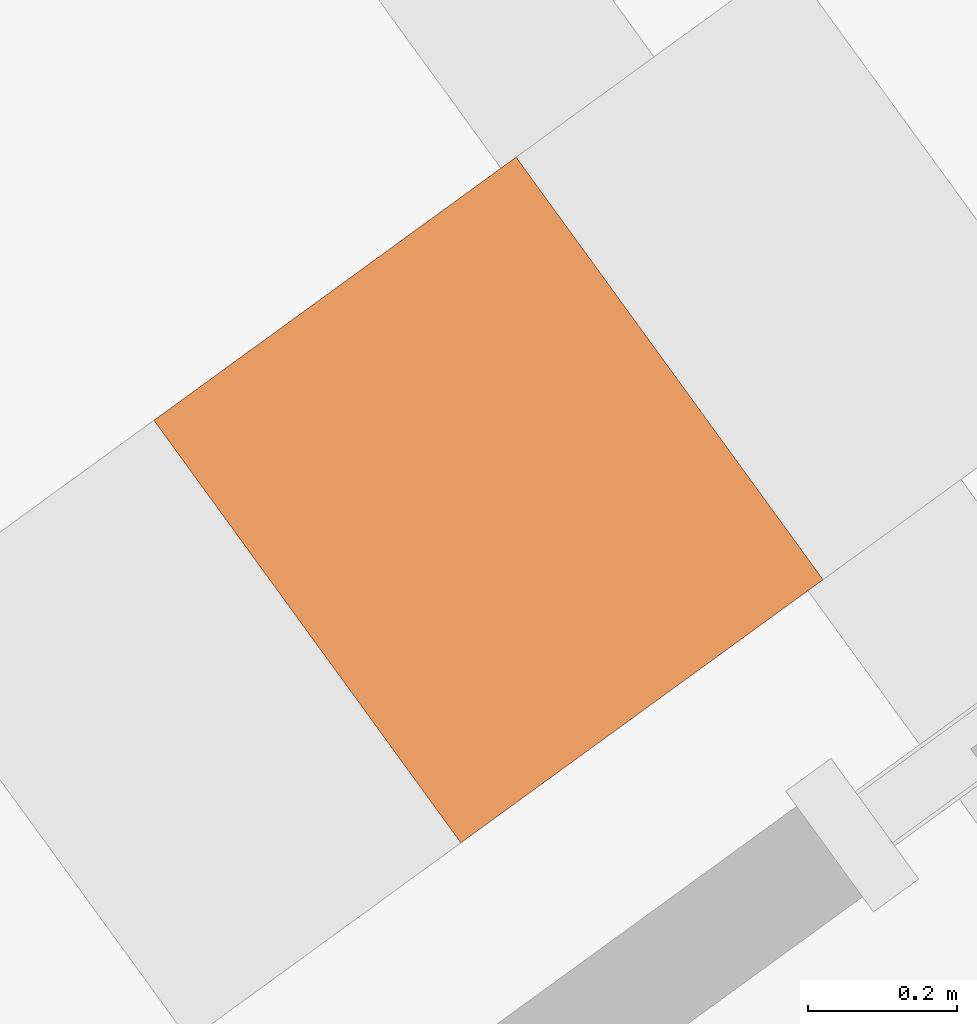
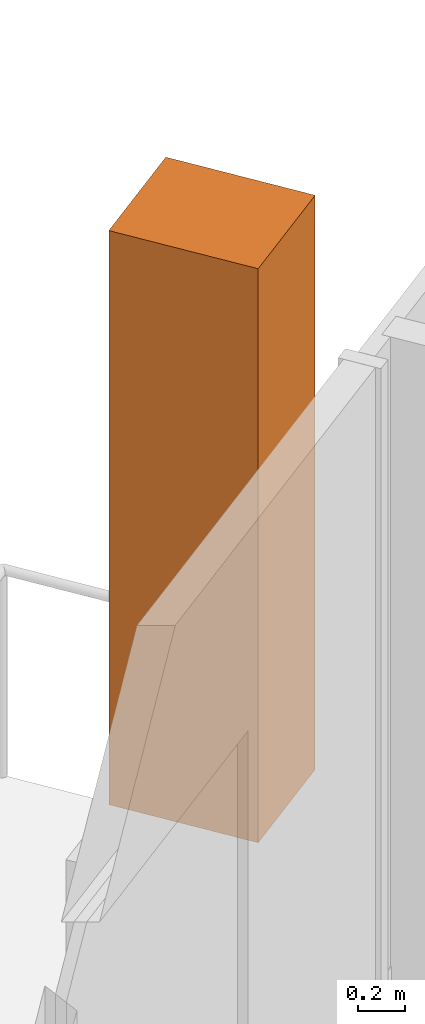
# One storey, part 21 of 21: 1 geographic element.
"""IFC4 building model written with IfcOpenShell, lengths in metres."""

from ifc_helpers import new_model, si_unit, direction, frame, origin, origin_2d, place, context, subcontext, project, spatial, rectangle, extrude, source, transform, mapped, material, type_object, element, save


model = new_model("IFC4")

# Units and contexts
model_context = context("Model", 3, precision=1e-05, world=origin(), true_north=direction((0.0, 1.0)))
body_context = subcontext(model_context, "Body", "Model", "MODEL_VIEW")
ifc_project = project(units=[si_unit("LENGTHUNIT", "METRE"), si_unit("AREAUNIT", "SQUARE_METRE"), si_unit("VOLUMEUNIT", "CUBIC_METRE"), si_unit("PLANEANGLEUNIT", "RADIAN"), si_unit("MASSUNIT", "GRAM", prefix="KILO")], contexts=[model_context])

# Site, building, storey
site_placement = place(None, origin())
site = spatial("IfcSite", under=ifc_project, at=site_placement, CompositionType="ELEMENT")
building_placement = place(site_placement, origin())
building = spatial("IfcBuilding", under=site, at=building_placement, Name="Triune Harvest Tower", CompositionType="ELEMENT")
storey_placement = place(building_placement, frame((0.0, 0.0, 87.300048828125)))
storey = spatial("IfcBuildingStorey", under=building, at=storey_placement, Name="L21", CompositionType="ELEMENT", Elevation=87.300048828125)

# Geographic element
ifc_material = material(Name="TREE-1 tree")
geographic_element_type = type_object("IfcGeographicElementType", Name="TREE-1 tree", PredefinedType="USERDEFINED", material=ifc_material)
shared_shape = source(origin(), body_context, "Body", "SweptSolid", [
    extrude(rectangle(XDim=0.60009765625, YDim=0.699951171875, at=origin_2d()), origin(), (0.0, 0.0, 1.0), 3.0),
])
geographic_element_placement = place(storey_placement, frame((-21.056396484375, 13.56103515625, 1.099853515625), z_axis=(0.0, 0.0, 1.0), x_axis=(-0.809017013446, -0.587785226043, 0.0)))
element("IfcGeographicElement", 1, at=geographic_element_placement, inside=storey, type_object=geographic_element_type, Name="Tree B2-F3 L21.9a", ObjectType="TREE", PredefinedType="USERDEFINED", context=body_context, shape_type="MappedRepresentation", body=[
    mapped(shared_shape, transform((0.0, 0.0, 0.0), scale=1.0)),
])

save(model, "model.ifc")
